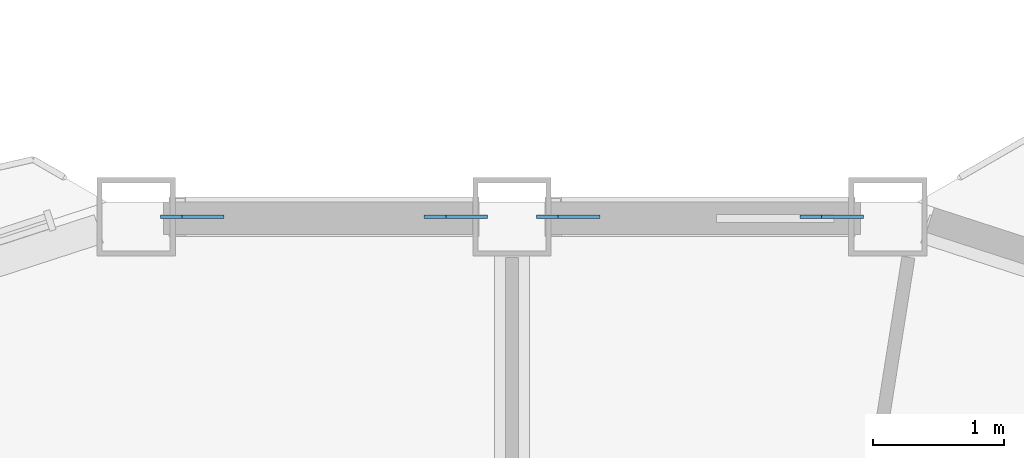
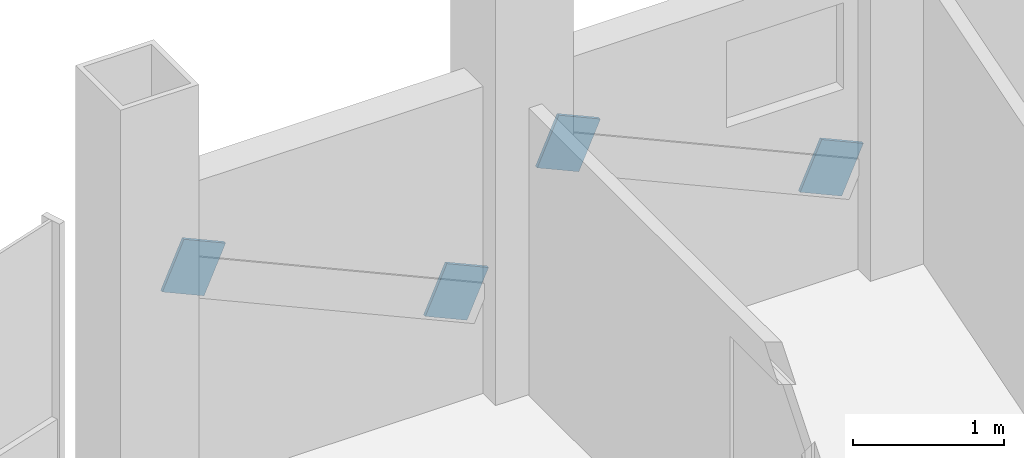
# One storey, part 22 of 27: 4 discrete accessories.
"""IFC4 building model written with IfcOpenShell, lengths in metres."""

from ifc_helpers import new_model, si_unit, direction, frame, origin, origin_2d, place, context, subcontext, project, spatial, rectangle, extrude, material, material_profile, profile_set, type_object, element, save


model = new_model("IFC4")

# Units and contexts
model_context = context("Model", 3, precision=1e-05, world=origin(), true_north=direction((0.0, 1.0)))
body_context = subcontext(model_context, "Body", "Model", "MODEL_VIEW")
ifc_project = project(units=[si_unit("LENGTHUNIT", "METRE"), si_unit("AREAUNIT", "SQUARE_METRE"), si_unit("VOLUMEUNIT", "CUBIC_METRE"), si_unit("PLANEANGLEUNIT", "RADIAN"), si_unit("MASSUNIT", "GRAM", prefix="KILO")], contexts=[model_context])

# Site, building, storey
site_placement = place(None, origin())
site = spatial("IfcSite", under=ifc_project, at=site_placement, CompositionType="ELEMENT")
building_placement = place(site_placement, origin())
building = spatial("IfcBuilding", under=site, at=building_placement, Name="Cormorant Prow Tower", CompositionType="ELEMENT")
storey_placement = place(building_placement, frame((0.0, 0.0, 335.800048828125)))
storey = spatial("IfcBuildingStorey", under=building, at=storey_placement, Name="L75", CompositionType="ELEMENT", Elevation=335.800048828125)

# Discrete accessories
ifc_material = material(Name="Structural steel ASTM A500 Gr C", Category="steel")
ifc_material_profile = material_profile(ifc_material, rectangle(XDim=0.02490234375, YDim=0.405029296875, at=origin_2d()), Name="Gusset plate 25x405")
ifc_profile_set = profile_set([ifc_material_profile], Name="Structural steel ASTM A500 Gr C")
discrete_accessory_type = type_object("IfcDiscreteAccessoryType", Name="Gusset plate 25x405", PredefinedType="BRACKET", material=ifc_profile_set)
for number, where, z_axis, x_axis, name in (
    (1, (2.28515625, 31.676025390625, 0.86376953125), (0.912599106234, 0.0, -0.408855562884), (0.0, 1.0, 0.0), "Gusset plate GP3 L75.N00.g0"),
    (2, (0.588623046875, 31.676025390625, 1.6240234375), (-0.912599106234, 0.0, 0.408855562884), (0.0, -1.0, 0.0), "Gusset plate GP3 L75.N00.g1"),
    (3, (-0.588623046875, 31.676025390625, 0.86376953125), (0.912599106234, 0.0, -0.408855562884), (0.0, 1.0, 0.0), "Gusset plate GP3 L75.N01.g0"),
    (4, (-2.28515625, 31.676025390625, 1.6240234375), (-0.912599106234, 0.0, 0.408855562884), (0.0, -1.0, 0.0), "Gusset plate GP3 L75.N01.g1"),
):
    element("IfcDiscreteAccessory", number, at=place(storey_placement, frame(where, z_axis=z_axis, x_axis=x_axis)), inside=storey, type_object=discrete_accessory_type, Name=name, PredefinedType="BRACKET", context=body_context, shape_type="SweptSolid", body=[
        extrude(rectangle(XDim=0.02490234375, YDim=0.405029296875, at=origin_2d()), origin(), (0.0, 0.0, 1.0), 0.349853515625),
    ])

save(model, "model.ifc")
